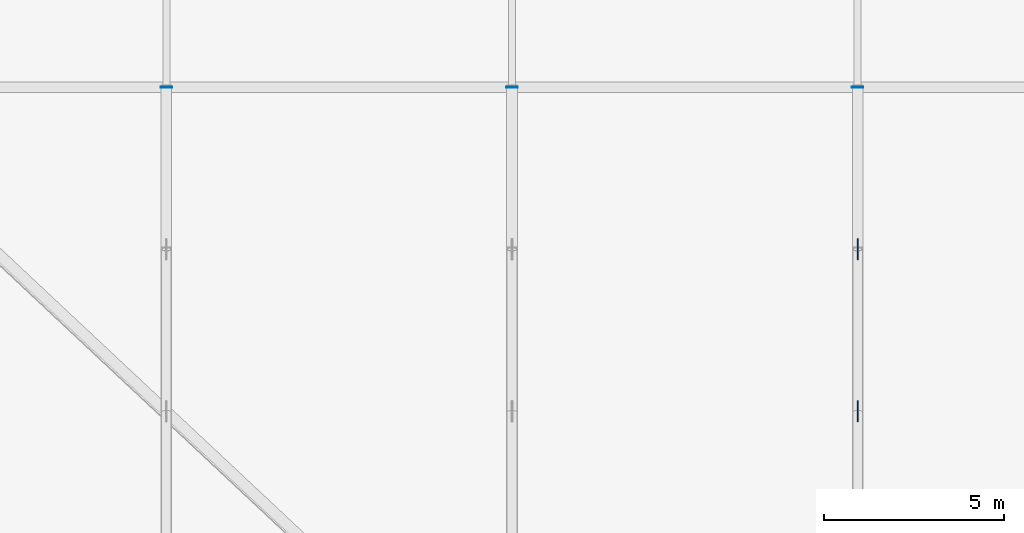
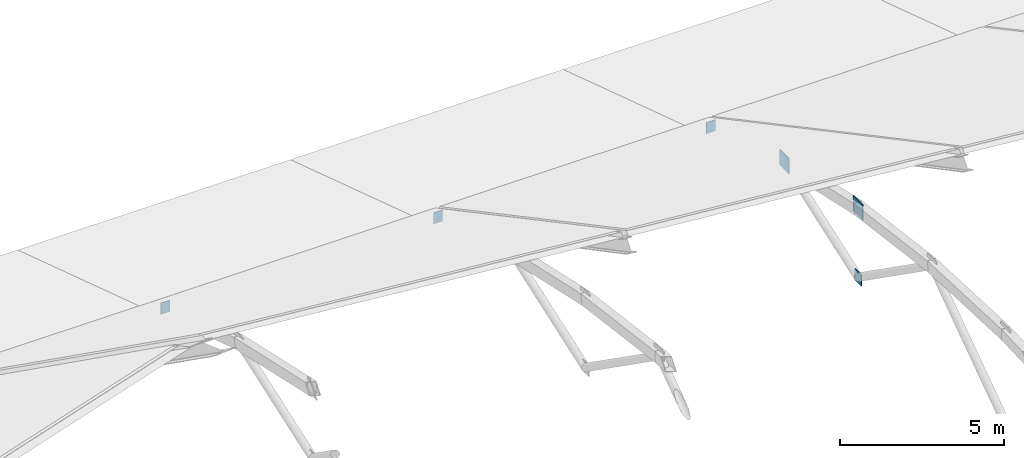
# One storey, part 11 of 16: 6 plates.
"""IFC4 building model written with IfcOpenShell, lengths in metres."""

from ifc_helpers import new_model, si_unit, direction, frame, origin, origin_2d, place, context, subcontext, project, spatial, rectangle, extrude, material, layer, layer_set, type_object, element, save


model = new_model("IFC4")

# Units and contexts
model_context = context("Model", 3, precision=1e-05, world=origin(), true_north=direction((0.0, 1.0)))
body_context = subcontext(model_context, "Body", "Model", "MODEL_VIEW")
ifc_project = project(units=[si_unit("LENGTHUNIT", "METRE"), si_unit("AREAUNIT", "SQUARE_METRE"), si_unit("VOLUMEUNIT", "CUBIC_METRE"), si_unit("PLANEANGLEUNIT", "RADIAN"), si_unit("MASSUNIT", "GRAM", prefix="KILO")], contexts=[model_context])

# Site, building, storey
site_placement = place(None, origin())
site = spatial("IfcSite", under=ifc_project, at=site_placement, CompositionType="ELEMENT")
building_placement = place(site_placement, origin())
building = spatial("IfcBuilding", under=site, at=building_placement, Name="Zarnetskaya Central Station", CompositionType="ELEMENT")
storey_placement = place(building_placement, frame((0.0, 0.0, 27.0)))
storey = spatial("IfcBuildingStorey", under=building, at=storey_placement, Name="RF", CompositionType="ELEMENT", Elevation=27.0)

# Plates
ifc_material = material(Name="Steel S355", Category="steel")
ifc_layer_1 = layer(ifc_material, 0.02001953125, Name="Steel S355", Category="steel")
ifc_layer_set_1 = layer_set([ifc_layer_1], Name="Steel S355")
plate_type_1 = type_object("IfcPlateType", Name="ND-ENDCAP-20", PredefinedType="SHEET", material=ifc_layer_set_1)
for number, where, z_axis, x_axis, name in (
    (1, (67.199951171875, 58.199951171875, -13.10986328125), (0.0, 0.0, 1.0), (1.0, 0.0, 0.0), "ROOF TRUSS RT-02 end cap plate 2"),
    (2, (76.800048828125, 58.199951171875, -13.10986328125), (0.0, 0.0, 1.0), (1.0, 0.0, 0.0), "ROOF TRUSS RT-03 end cap plate 2"),
    (3, (86.39990234375, 58.199951171875, -13.10986328125), (0.0, 0.0, 1.0), (1.0, 0.0, 0.0), "ROOF TRUSS RT-04 end cap plate 2"),
):
    element("IfcPlate", number, at=place(storey_placement, frame(where, z_axis=z_axis, x_axis=x_axis)), inside=storey, type_object=plate_type_1, Name=name, PredefinedType="SHEET", context=body_context, shape_type="SweptSolid", body=[
        extrude(rectangle(XDim=0.320068359375, YDim=0.02001953125, at=origin_2d()), origin(), (0.0, 0.0, 1.0), 0.419921875),
    ])
ifc_layer_2 = layer(ifc_material, 0.028076171875, Name="Steel S355", Category="steel")
ifc_layer_set_2 = layer_set([ifc_layer_2], Name="Steel S355")
plate_type_2 = type_object("IfcPlateType", Name="ND-GUSSET-28", PredefinedType="USERDEFINED", material=ifc_layer_set_2)
for number, where, z_axis, x_axis, name in (
    (4, (86.39990234375, 49.199951171875, -10.760009765625), (0.0, 0.0, 1.0), (1.0, 0.0, 0.0), "ROOF TRUSS RT-04 gusset node plate 6"),
    (5, (86.39990234375, 53.699951171875, -11.75830078125), (0.0, 0.0, 1.0), (1.0, 0.0, 0.0), "ROOF TRUSS RT-04 gusset node plate 7"),
):
    element("IfcPlate", number, at=place(storey_placement, frame(where, z_axis=z_axis, x_axis=x_axis)), inside=storey, type_object=plate_type_2, Name=name, ObjectType="GUSSET PLATE", PredefinedType="USERDEFINED", context=body_context, shape_type="SweptSolid", body=[
        extrude(rectangle(XDim=0.028076171875, YDim=0.580078125, at=origin_2d()), origin(), (0.0, 0.0, 1.0), 0.580078125),
    ])
plate_placement = place(storey_placement, frame((86.39990234375, 49.199951171875, -13.260009765625), z_axis=(0.0, 0.0, 1.0), x_axis=(1.0, 0.0, 0.0)))
element("IfcPlate", 6, at=plate_placement, inside=storey, type_object=plate_type_2, Name="Structural member end gusset plate 012", ObjectType="GUSSET PLATE", PredefinedType="USERDEFINED", context=body_context, shape_type="SweptSolid", body=[
    extrude(rectangle(XDim=0.028076171875, YDim=0.419921875, at=origin_2d()), origin(), (0.0, 0.0, 1.0), 0.419921875),
])

save(model, "model.ifc")
